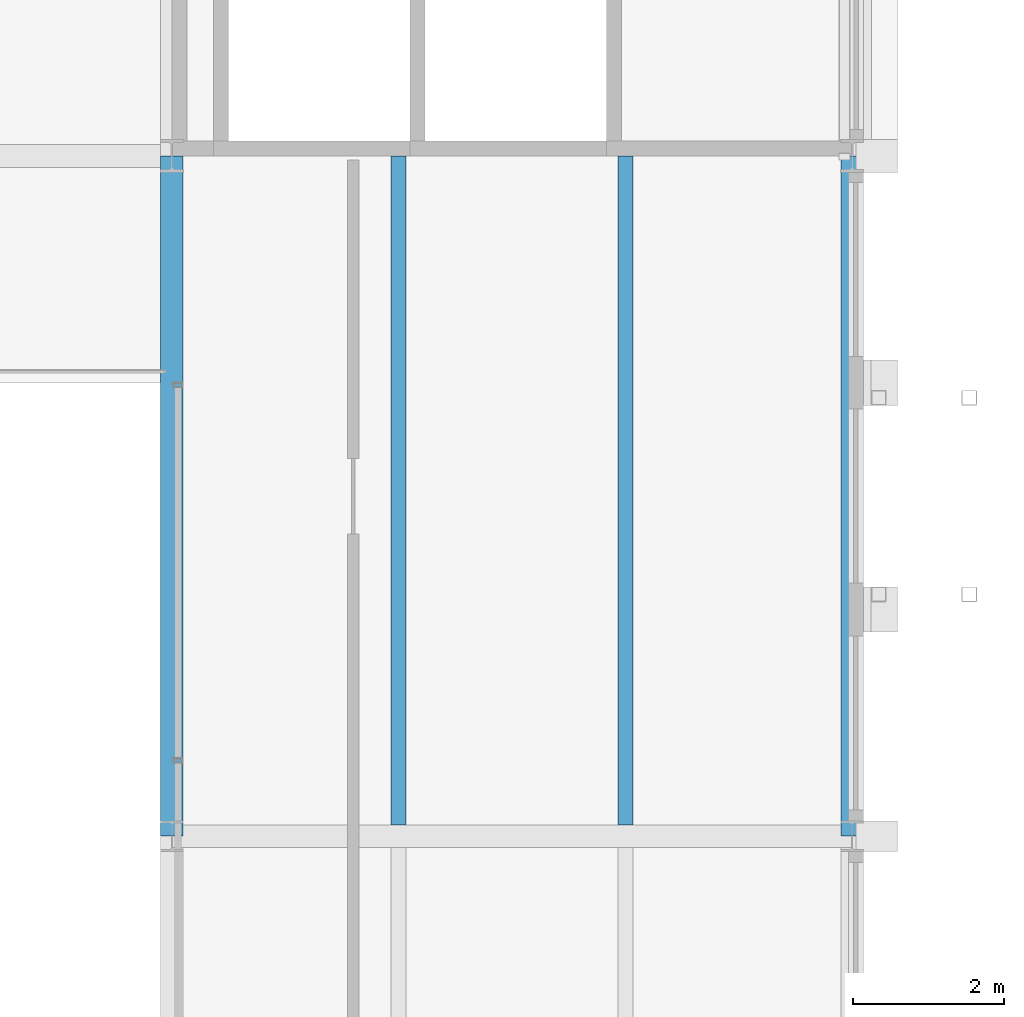
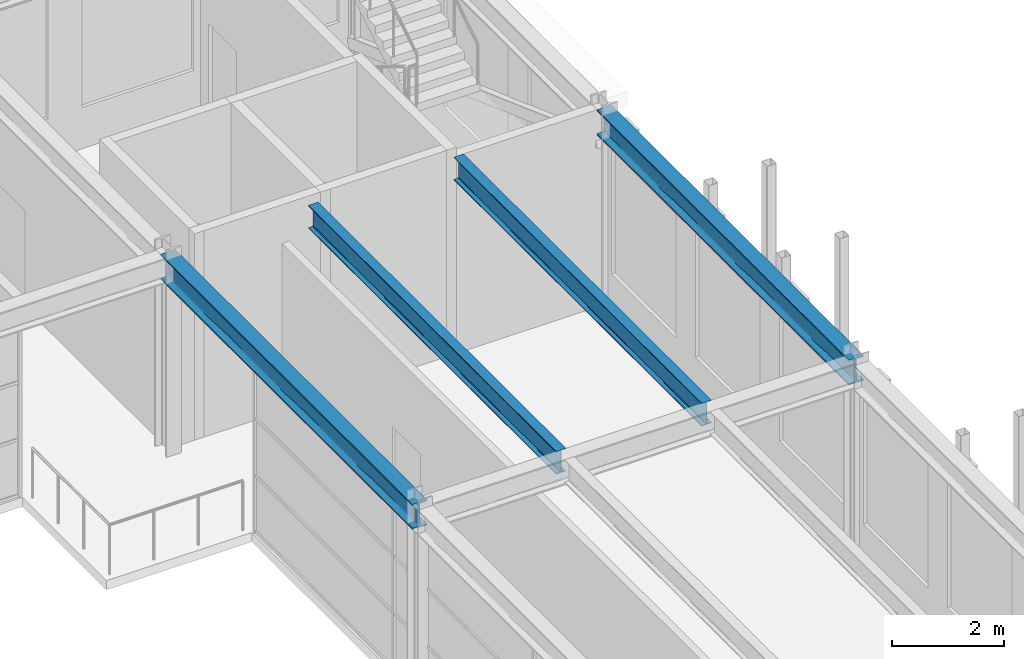
# One storey, part 43 of 153: 4 beams.
"""IFC4 building model written with IfcOpenShell, lengths in metres."""

from ifc_helpers import new_model, si_unit, direction, frame, origin, origin_2d, place, context, subcontext, project, spatial, i_section, extrude, material, material_profile, profile_set, type_object, element, save


model = new_model("IFC4")

# Units and contexts
model_context = context("Model", 3, precision=1e-05, world=origin(), true_north=direction((0.0, 1.0)))
body_context = subcontext(model_context, "Body", "Model", "MODEL_VIEW")
ifc_project = project(units=[si_unit("LENGTHUNIT", "METRE"), si_unit("AREAUNIT", "SQUARE_METRE"), si_unit("VOLUMEUNIT", "CUBIC_METRE"), si_unit("PLANEANGLEUNIT", "RADIAN"), si_unit("MASSUNIT", "GRAM", prefix="KILO")], contexts=[model_context])

# Site, building, storey
site_placement = place(None, origin())
site = spatial("IfcSite", under=ifc_project, at=site_placement, CompositionType="ELEMENT")
building_placement = place(site_placement, origin())
building = spatial("IfcBuilding", under=site, at=building_placement, Name="Kallimachos Central Library", CompositionType="ELEMENT")
storey_placement = place(building_placement, frame((0.0, 0.0, 5.39990234375)))
storey = spatial("IfcBuildingStorey", under=building, at=storey_placement, Name="L01", CompositionType="ELEMENT", Elevation=5.39990234375)

# Beams
ifc_material_1 = material(Name="Steel S355J2", Category="steel")
ifc_material_profile_1 = material_profile(ifc_material_1, i_section(OverallWidth=0.300048828125, OverallDepth=0.550048828125, WebThickness=0.014892578125, FlangeThickness=0.029052734375, FilletRadius=0.027099609375, at=origin_2d()), Name="HEB 550")
ifc_profile_set_1 = profile_set([ifc_material_profile_1], Name="Steel S355J2")
beam_type_1 = type_object("IfcBeamType", Name="HEB 550 beam", PredefinedType="BEAM", material=ifc_profile_set_1)
for number, where, z_axis, x_axis, name in (
    (1, (101.5, 66.0, 4.025146484375), (0.0, 1.0, 0.0), (-1.0, 0.0, 0.0), "V4-BEM-L01-034"),
    (2, (110.5, 66.0, 4.025146484375), (0.0, 1.0, 0.0), (-1.0, 0.0, 0.0), "V4-BEM-L01-036"),
):
    element("IfcBeam", number, at=place(storey_placement, frame(where, z_axis=z_axis, x_axis=x_axis)), inside=storey, type_object=beam_type_1, Name=name, PredefinedType="BEAM", context=body_context, shape_type="SweptSolid", body=[
        extrude(i_section(OverallWidth=0.300048828125, OverallDepth=0.550048828125, WebThickness=0.014892578125, FlangeThickness=0.029052734375, FilletRadius=0.027099609375, at=origin_2d()), origin(), (0.0, 0.0, 1.0), 9.0),
    ])
ifc_material_2 = material(Name="Steel S355J2", Category="steel")
ifc_material_profile_2 = material_profile(ifc_material_2, i_section(OverallWidth=0.199951171875, OverallDepth=0.5, WebThickness=0.01025390625, FlangeThickness=0.01611328125, FilletRadius=0.02099609375, at=origin_2d()), Name="IPE 500")
ifc_profile_set_2 = profile_set([ifc_material_profile_2], Name="Steel S355J2")
beam_type_2 = type_object("IfcBeamType", Name="IPE 500 beam", PredefinedType="BEAM", material=ifc_profile_set_2)
for number, where, z_axis, x_axis, name in (
    (3, (104.5, 66.14990234375, 4.050048828125), (0.0, 1.0, 0.0), (-1.0, 0.0, 0.0), "V4-BEM-L01-039"),
    (4, (107.5, 66.14990234375, 4.050048828125), (0.0, 1.0, 0.0), (-1.0, 0.0, 0.0), "V4-BEM-L01-040"),
):
    element("IfcBeam", number, at=place(storey_placement, frame(where, z_axis=z_axis, x_axis=x_axis)), inside=storey, type_object=beam_type_2, Name=name, PredefinedType="BEAM", context=body_context, shape_type="SweptSolid", body=[
        extrude(i_section(OverallWidth=0.199951171875, OverallDepth=0.5, WebThickness=0.01025390625, FlangeThickness=0.01611328125, FilletRadius=0.02099609375, at=origin_2d()), origin(), (0.0, 0.0, 1.0), 8.85009765625),
    ])

save(model, "model.ifc")
